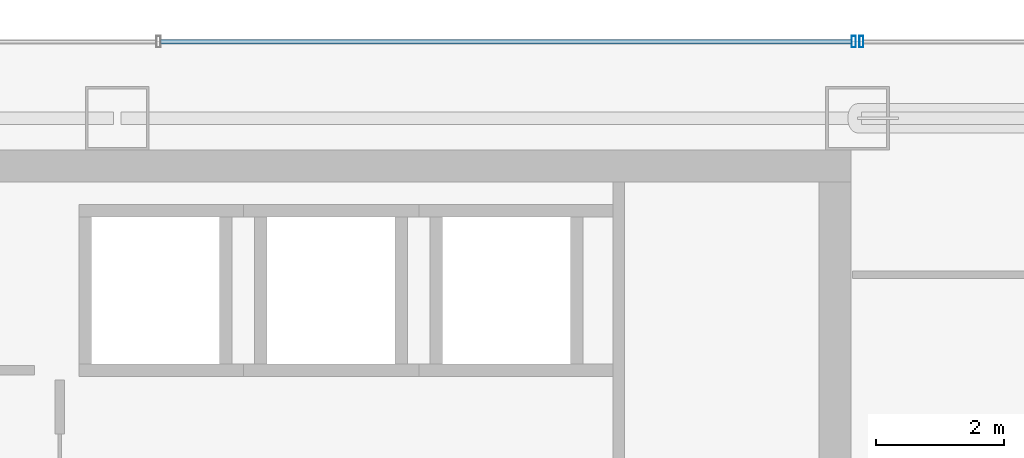
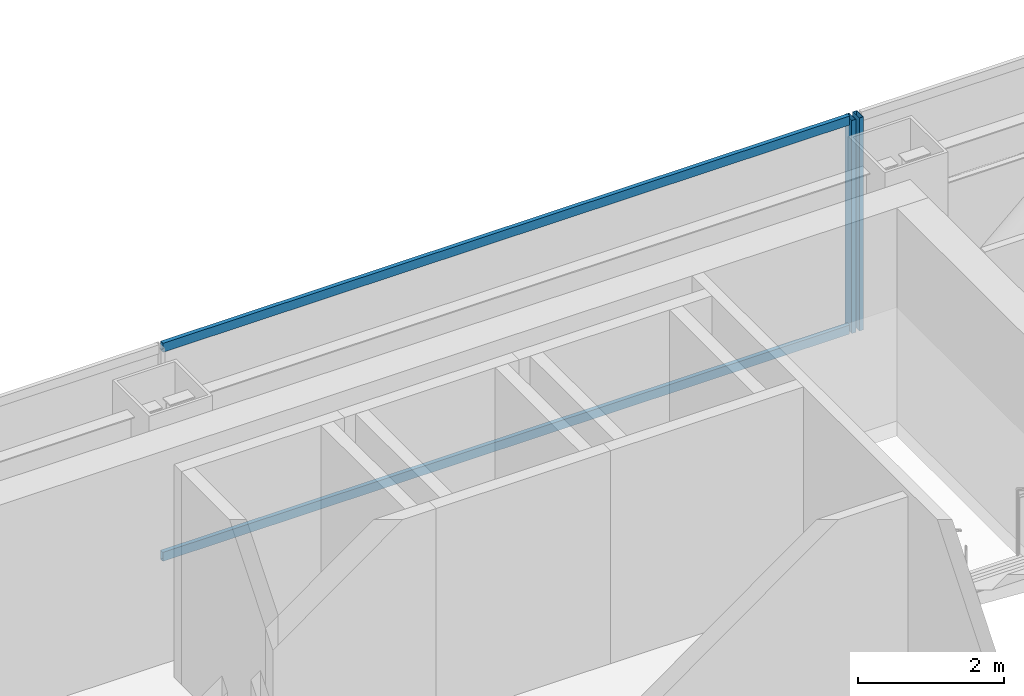
# One storey, part 27 of 37: 4 members, 2 elements without a shape of their own.
"""IFC4 building model written with IfcOpenShell, lengths in metres."""

import ifcopenshell
import ifcopenshell.guid

model = None  # the IFC model being written
_history = None  # IfcOwnerHistory: only IFC2X3 demands one
_inside = {}  # id of a spatial element -> (the spatial element, [elements in it])
_under = {}  # id of a project, library or spatial element -> (it, [spatial elements below it])
_declared = {}  # id of a project -> (the project, [libraries it declares])
_typed = {}  # id of a type object -> (the type object, [elements of that type])
_made_of = {}  # id of a material, layer set ... -> (it, [elements and type objects made of it])


def new_model(schema):
    """Start an empty IFC model of exactly this schema.

    Asked for "IFC4X3", IfcOpenShell would pick the latest addendum, in which some entities
    have other attributes; the version numbers below select the first issue.
    IFC2X3 requires an IfcOwnerHistory on every rooted entity: one is made here for all.
    """
    global model, _history
    if schema == "IFC4X3":
        model = ifcopenshell.file(schema_version=(4, 3, 0, 0))
    else:
        model = ifcopenshell.file(schema=schema)
    _inside.clear()
    _under.clear()
    _declared.clear()
    _typed.clear()
    _made_of.clear()
    _history = None
    if model.schema == "IFC2X3":
        org = make("IfcOrganization", Name="unknown")
        user = make(
            "IfcPersonAndOrganization",
            ThePerson=make("IfcPerson", FamilyName="unknown"),
            TheOrganization=org,
        )
        app = make(
            "IfcApplication",
            ApplicationDeveloper=org,
            Version="unknown",
            ApplicationFullName="unknown",
            ApplicationIdentifier="unknown",
        )
        _history = make(
            "IfcOwnerHistory",
            OwningUser=user,
            OwningApplication=app,
            ChangeAction="ADDED",
            CreationDate=0,
        )
    return model


def make(cls, **values):
    """One entity of the class cls with the attributes given. An attribute that is None is left unset."""
    return model.create_entity(
        cls, **{name: value for name, value in values.items() if value is not None}
    )


def rooted(cls, **values):
    """An entity with a GlobalId (a new one), such as an element, a storey or a relation."""
    return make(cls, GlobalId=ifcopenshell.guid.new(), OwnerHistory=_history, **values)


def si_unit(unit_type, name, prefix=None):
    """IfcSIUnit, for example si_unit("LENGTHUNIT", "METRE", prefix="MILLI")."""
    return make("IfcSIUnit", UnitType=unit_type, Prefix=prefix, Name=name)


def assignment(units):
    """IfcUnitAssignment: the units of a project."""
    return None if units is None else make("IfcUnitAssignment", Units=units)


def point(xyz):
    """IfcCartesianPoint."""
    return None if xyz is None else make("IfcCartesianPoint", Coordinates=xyz)


def direction(xyz):
    """IfcDirection."""
    return None if xyz is None else make("IfcDirection", DirectionRatios=xyz)


def frame(location, z_axis=None, x_axis=None):
    """IfcAxis2Placement3D, a coordinate frame: its origin and axes. An axis left out is left unset."""
    return make(
        "IfcAxis2Placement3D",
        Location=point(location),
        Axis=direction(z_axis),
        RefDirection=direction(x_axis),
    )


def frame_2d(location, x_axis=None):
    """IfcAxis2Placement2D, a coordinate frame in the plane: its origin and x axis."""
    return make(
        "IfcAxis2Placement2D", Location=point(location), RefDirection=direction(x_axis)
    )


def origin():
    """The frame at (0, 0, 0) with its axes left unset."""
    return frame((0.0, 0.0, 0.0))


def origin_2d():
    """The frame at (0, 0) in the plane with its x axis left unset."""
    return frame_2d((0.0, 0.0))


def place(relative_to, where):
    """IfcLocalPlacement: puts the frame where relative to a parent placement (None: the world)."""
    return make(
        "IfcLocalPlacement", PlacementRelTo=relative_to, RelativePlacement=where
    )


def context(
    kind, dimensions, precision=None, world=None, true_north=None, identifier=None
):
    """IfcGeometricRepresentationContext, for example the 3D "Model" context."""
    return make(
        "IfcGeometricRepresentationContext",
        ContextIdentifier=identifier,
        ContextType=kind,
        CoordinateSpaceDimension=dimensions,
        Precision=precision,
        WorldCoordinateSystem=world,
        TrueNorth=true_north,
    )


def subcontext(parent, identifier, kind, view, scale=None):
    """IfcGeometricRepresentationSubContext, for example "Body" below "Model"."""
    return make(
        "IfcGeometricRepresentationSubContext",
        ContextIdentifier=identifier,
        ContextType=kind,
        ParentContext=parent,
        TargetScale=scale,
        TargetView=view,
    )


def project(units=None, contexts=None):
    """IfcProject with its units and contexts."""
    return rooted(
        "IfcProject",
        Name="project",
        RepresentationContexts=contexts,
        UnitsInContext=assignment(units),
    )


def spatial(cls, under=None, at=None, **own):
    """A site, building, storey or space (cls), placed at a placement, below another one or the project."""
    s = rooted(cls, ObjectPlacement=at, **own)
    if under is not None:
        _under.setdefault(under.id(), (under, []))[1].append(s)
    return s


def profile(cls, at=None, kind="AREA", **sizes):
    """A parametric profile (cls). Its sizes go by their IFC names, for example OverallWidth=200.0."""
    return make(cls, ProfileType=kind, Position=at, **sizes)


def hollow_rectangle(**sizes):
    """IfcRectangleHollowProfileDef."""
    return profile("IfcRectangleHollowProfileDef", **sizes)


def extrude(swept, where, along, depth):
    """IfcExtrudedAreaSolid: the profile swept, set in the frame where, extruded along a direction by depth."""
    return make(
        "IfcExtrudedAreaSolid",
        SweptArea=swept,
        Position=where,
        ExtrudedDirection=direction(along),
        Depth=depth,
    )


def shape(context_of_items, identifier, shape_type, items):
    """IfcShapeRepresentation: the items that make up one representation, for example the "Body"."""
    return make(
        "IfcShapeRepresentation",
        ContextOfItems=context_of_items,
        RepresentationIdentifier=identifier,
        RepresentationType=shape_type,
        Items=items,
    )


def material(Name=None, Category=None):
    """IfcMaterial."""
    return make("IfcMaterial", Name=Name, Category=Category)


def material_profile(
    of_material, cross_section, Name=None, Category=None, Priority=None
):
    """IfcMaterialProfile: a cross section and its material."""
    return make(
        "IfcMaterialProfile",
        Name=Name,
        Material=of_material,
        Profile=cross_section,
        Priority=Priority,
        Category=Category,
    )


def profile_set(profiles, Name=None, composite=None):
    """IfcMaterialProfileSet."""
    return make(
        "IfcMaterialProfileSet",
        Name=Name,
        MaterialProfiles=profiles,
        CompositeProfile=composite,
    )


def made_of(thing, what):
    """Note that an element or type object is made of a material, layer set ...; save() writes the relation."""
    if what is not None:
        _made_of.setdefault(what.id(), (what, []))[1].append(thing)
    return thing


def type_object(cls, material=None, **own):
    """A type object (cls), such as IfcWallType, which elements share."""
    return made_of(rooted(cls, **own), material)


def element(
    cls,
    number,
    at=None,
    inside=None,
    cuts=None,
    type_object=None,
    material=None,
    context=None,
    identifier="Body",
    shape_type=None,
    held_by="IfcProductDefinitionShape",
    body=None,
    shapes=None,
    **own,
):
    """One element of the class cls, such as IfcWall. Its Tag is "e" and its number.

    at: its placement. inside: the storey or other place that contains it. cuts: it is an
    opening in that element (IfcRelVoidsElement). A single representation is given by context,
    identifier, shape_type and body (its items); several are given by shapes. held_by: the class
    of the entity that holds the representations. save() writes the other relations.
    """
    e = rooted(cls, Tag="e%d" % number, ObjectPlacement=at, **own)
    if body is not None:
        shapes = [shape(context, identifier, shape_type, body)]
    if shapes is not None:
        e.Representation = make(held_by, Representations=shapes)
    if inside is not None:
        _inside.setdefault(inside.id(), (inside, []))[1].append(e)
    if cuts is not None:
        rooted(
            "IfcRelVoidsElement", RelatingBuildingElement=cuts, RelatedOpeningElement=e
        )
    if type_object is not None:
        _typed.setdefault(type_object.id(), (type_object, []))[1].append(e)
    return made_of(e, material)


def aggregate(whole, parts):
    """IfcRelAggregates: a whole, such as a stair, and the parts it consists of."""
    return rooted("IfcRelAggregates", RelatingObject=whole, RelatedObjects=parts)


def save(model, path):
    """Write the relations noted so far, then the file.

    IfcRelAggregates (storeys below a building ...), IfcRelContainedInSpatialStructure (elements
    in a storey), IfcRelDefinesByType, IfcRelAssociatesMaterial and IfcRelDeclares: one each for
    every whole, place, type object, material and project.
    """
    for whole, parts in _under.values():
        aggregate(whole, parts)
    for where, things in _inside.values():
        rooted(
            "IfcRelContainedInSpatialStructure",
            RelatedElements=things,
            RelatingStructure=where,
        )
    for kind, things in _typed.values():
        rooted("IfcRelDefinesByType", RelatedObjects=things, RelatingType=kind)
    for what, things in _made_of.values():
        rooted("IfcRelAssociatesMaterial", RelatedObjects=things, RelatingMaterial=what)
    for by, libraries in _declared.values():
        rooted("IfcRelDeclares", RelatingContext=by, RelatedDefinitions=libraries)
    model.write(path)


model = new_model("IFC4")

# Units and contexts
model_context = context("Model", 3, precision=1e-05, world=origin(), true_north=direction((0.0, 1.0)))
body_context = subcontext(model_context, "Body", "Model", "MODEL_VIEW")
ifc_project = project(units=[si_unit("LENGTHUNIT", "METRE"), si_unit("AREAUNIT", "SQUARE_METRE"), si_unit("VOLUMEUNIT", "CUBIC_METRE"), si_unit("PLANEANGLEUNIT", "RADIAN"), si_unit("MASSUNIT", "GRAM", prefix="KILO")], contexts=[model_context])

# Site, building, storey
site_placement = place(None, origin())
site = spatial("IfcSite", under=ifc_project, at=site_placement, CompositionType="ELEMENT")
building_placement = place(site_placement, origin())
building = spatial("IfcBuilding", under=site, at=building_placement, Name="Saevonmaru Cultural Tower", CompositionType="ELEMENT")
storey_placement = place(building_placement, frame((0.0, 0.0, 160.0)))
storey = spatial("IfcBuildingStorey", under=building, at=storey_placement, Name="L35", CompositionType="ELEMENT", Elevation=160.0)

# Curtain wall, member
ifc_material = material(Name="Satin Bronze Anodised Aluminium", Category="aluminium")
curtain_wall_type = type_object("IfcCurtainWallType", Name="CW-TYP-A", PredefinedType="NOTDEFINED", material=ifc_material)
curtain_wall_1_placement = place(storey_placement, origin())
curtain_wall_1 = element("IfcCurtainWall", 1, at=curtain_wall_1_placement, inside=storey, type_object=curtain_wall_type, Name="L35 East Braced Bay Spandrel Curtain Wall E10A", PredefinedType="NOTDEFINED")
ifc_material_profile_1 = material_profile(ifc_material, hollow_rectangle(XDim=0.06494140625, YDim=0.179931640625, WallThickness=0.00390625, at=origin_2d()), Name="ALU-MULL-180x65x4")
ifc_profile_set_1 = profile_set([ifc_material_profile_1], Name="Satin Bronze Anodised Aluminium")
member_type_1 = type_object("IfcMemberType", Name="ML-CW-180x65", PredefinedType="MULLION", material=ifc_profile_set_1)
member_1_placement = place(storey_placement, frame((46.4599609375, 56.0, 0.0), z_axis=(0.0, 0.0, 1.0), x_axis=(-1.0, 0.0, 0.0)))
member_1 = element("IfcMember", 2, at=member_1_placement, type_object=member_type_1, Name="CW-TW-L35-E10A mullion 2", PredefinedType="MULLION", context=body_context, shape_type="SweptSolid", body=[
    extrude(hollow_rectangle(XDim=0.06494140625, YDim=0.179931640625, WallThickness=0.00390625, at=origin_2d()), origin(), (0.0, 0.0, 1.0), 3.550048828125),
])
aggregate(curtain_wall_1, [member_1])

# Curtain wall, members
curtain_wall_2_placement = place(storey_placement, origin())
curtain_wall_2 = element("IfcCurtainWall", 3, at=curtain_wall_2_placement, inside=storey, type_object=curtain_wall_type, Name="L35 North Spine Unitised Curtain Wall E10B", PredefinedType="NOTDEFINED")
member_2_placement = place(storey_placement, frame((46.340087890625, 56.0, 0.0), z_axis=(0.0, 0.0, 1.0), x_axis=(-1.0, 0.0, 0.0)))
member_2 = element("IfcMember", 4, at=member_2_placement, type_object=member_type_1, Name="CW-TW-L35-E10B mullion 1", PredefinedType="MULLION", context=body_context, shape_type="SweptSolid", body=[
    extrude(hollow_rectangle(XDim=0.06494140625, YDim=0.179931640625, WallThickness=0.00390625, at=origin_2d()), origin(), (0.0, 0.0, 1.0), 3.550048828125),
])
ifc_material_profile_2 = material_profile(ifc_material, hollow_rectangle(XDim=0.06494140625, YDim=0.14990234375, WallThickness=0.00390625, at=origin_2d()), Name="ALU-TRAN-150x65x4")
ifc_profile_set_2 = profile_set([ifc_material_profile_2], Name="Satin Bronze Anodised Aluminium")
member_type_2 = type_object("IfcMemberType", Name="TR-CW-150x65", PredefinedType="USERDEFINED", material=ifc_profile_set_2)
member_3_placement = place(storey_placement, frame((46.3076171875, 56.0, 0.032470703125), z_axis=(-1.0, 0.0, 0.0), x_axis=(0.0, -1.0, 0.0)))
member_3 = element("IfcMember", 5, at=member_3_placement, type_object=member_type_2, Name="CW-TW-L35-E10B transom 1.1", ObjectType="TRANSOM", PredefinedType="USERDEFINED", context=body_context, shape_type="SweptSolid", body=[
    extrude(hollow_rectangle(XDim=0.06494140625, YDim=0.14990234375, WallThickness=0.00390625, at=origin_2d()), origin(), (0.0, 0.0, 1.0), 10.828369140625),
])
member_4_placement = place(storey_placement, frame((46.3076171875, 56.0, 3.517578125), z_axis=(-1.0, 0.0, 0.0), x_axis=(0.0, -1.0, 0.0)))
member_4 = element("IfcMember", 6, at=member_4_placement, type_object=member_type_2, Name="CW-TW-L35-E10B transom 1.2", ObjectType="TRANSOM", PredefinedType="USERDEFINED", context=body_context, shape_type="SweptSolid", body=[
    extrude(hollow_rectangle(XDim=0.06494140625, YDim=0.14990234375, WallThickness=0.00390625, at=origin_2d()), origin(), (0.0, 0.0, 1.0), 10.828369140625),
])
aggregate(curtain_wall_2, [member_2, member_3, member_4])

save(model, "model.ifc")
